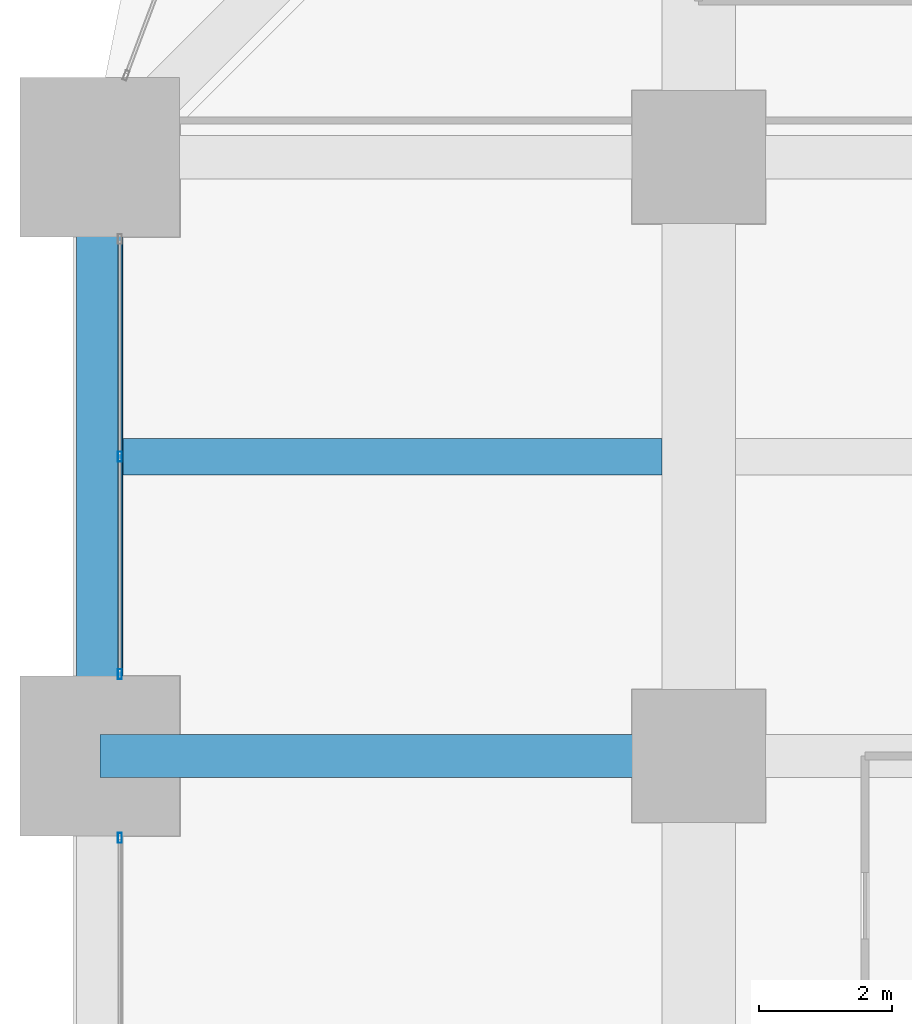
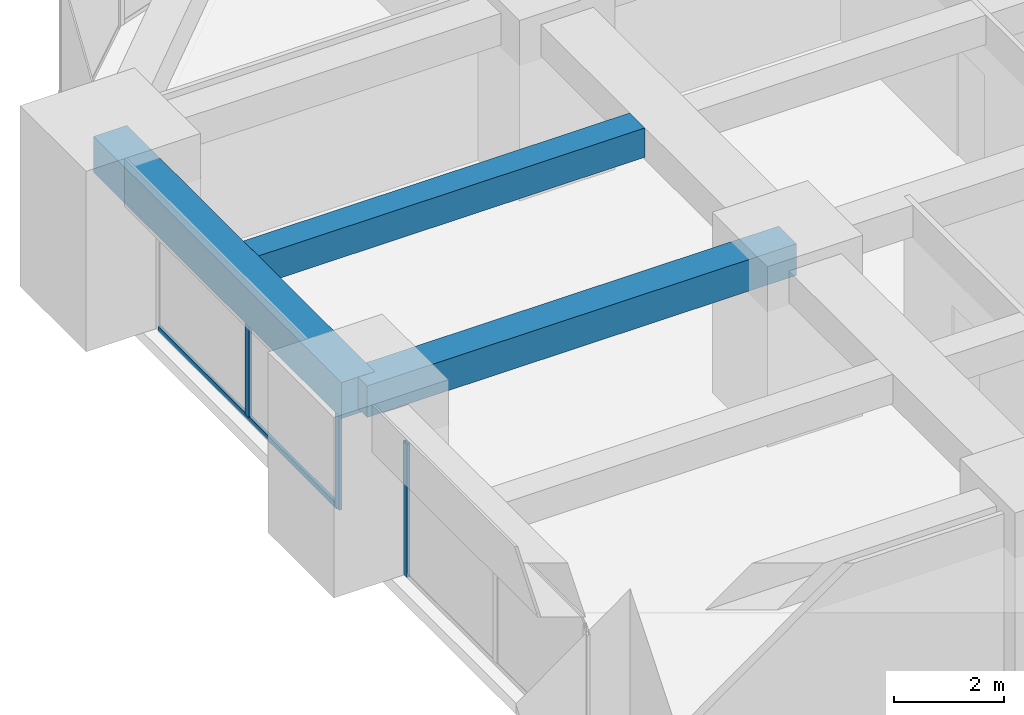
# One storey, part 11 of 41: 4 members, 3 beams, 2 elements without a shape of their own.
"""IFC4 building model written with IfcOpenShell, lengths in metres."""

from ifc_helpers import new_model, si_unit, direction, frame, origin, origin_2d, place, context, subcontext, project, spatial, rectangle, hollow_rectangle, extrude, material, material_profile, profile_set, type_object, element, aggregate, save


model = new_model("IFC4")

# Units and contexts
model_context = context("Model", 3, precision=1e-05, world=origin(), true_north=direction((0.0, 1.0)))
body_context = subcontext(model_context, "Body", "Model", "MODEL_VIEW")
ifc_project = project(units=[si_unit("LENGTHUNIT", "METRE"), si_unit("AREAUNIT", "SQUARE_METRE"), si_unit("VOLUMEUNIT", "CUBIC_METRE"), si_unit("PLANEANGLEUNIT", "RADIAN"), si_unit("MASSUNIT", "GRAM", prefix="KILO")], contexts=[model_context])

# Site, building, storey
site_placement = place(None, origin())
site = spatial("IfcSite", under=ifc_project, at=site_placement, CompositionType="ELEMENT")
building_placement = place(site_placement, origin())
building = spatial("IfcBuilding", under=site, at=building_placement, Name="Zorevar Civic Tower", CompositionType="ELEMENT")
storey_placement = place(building_placement, frame((0.0, 0.0, 101.0)))
storey = spatial("IfcBuildingStorey", under=building, at=storey_placement, Name="L24", CompositionType="ELEMENT", Elevation=101.0)

# Beams
ifc_material_1 = material(Name="Concrete C50/60", Category="concrete")
ifc_material_profile_1 = material_profile(ifc_material_1, rectangle(XDim=0.550048828125, YDim=0.64990234375, at=origin_2d()), Name="RC 550x650")
ifc_profile_set_1 = profile_set([ifc_material_profile_1], Name="Concrete C50/60")
beam_type_1 = type_object("IfcBeamType", Name="Beam RC 550x650", PredefinedType="BEAM", material=ifc_profile_set_1)
beam_1_placement = place(storey_placement, frame((0.35009765625, 31.5, 3.425048828125), z_axis=(1.0, 0.0, 0.0), x_axis=(0.0, 1.0, 0.0)))
element("IfcBeam", 1, at=beam_1_placement, inside=storey, type_object=beam_type_1, Name="Secondary beam L25", PredefinedType="BEAM", context=body_context, shape_type="SweptSolid", body=[
    extrude(rectangle(XDim=0.550048828125, YDim=0.64990234375, at=origin_2d()), origin(), (0.0, 0.0, 1.0), 8.099853515625),
])
ifc_material_2 = material(Name="Concrete C50/60", Category="concrete")
ifc_material_profile_2 = material_profile(ifc_material_2, rectangle(XDim=0.64990234375, YDim=0.699951171875, at=origin_2d()), Name="RC 650x700")
ifc_profile_set_2 = profile_set([ifc_material_profile_2], Name="Concrete C50/60")
beam_type_2 = type_object("IfcBeamType", Name="Beam RC 650x700", PredefinedType="BEAM", material=ifc_profile_set_2)
beam_2_placement = place(storey_placement, frame((0.0, 27.0, 3.39990234375), z_axis=(1.0, 0.0, 0.0), x_axis=(0.0, 1.0, 0.0)))
element("IfcBeam", 2, at=beam_2_placement, inside=storey, type_object=beam_type_2, Name="Girder L25", PredefinedType="BEAM", context=body_context, shape_type="SweptSolid", body=[
    extrude(rectangle(XDim=0.64990234375, YDim=0.699951171875, at=origin_2d()), origin(), (0.0, 0.0, 1.0), 9.0),
])

# Curtain wall, member
ifc_material_3 = material(Name="Dark grey solar-control glass in black aluminium frame", Category="aluminium")
curtain_wall_type = type_object("IfcCurtainWallType", Name="Curtain wall CW3 mid zone", PredefinedType="NOTDEFINED", material=ifc_material_3)
curtain_wall_1_placement = place(storey_placement, origin())
curtain_wall_1 = element("IfcCurtainWall", 3, at=curtain_wall_1_placement, inside=storey, type_object=curtain_wall_type, Name="CW3 L24", PredefinedType="NOTDEFINED")
ifc_material_4 = material(Name="Aluminium, black anodised", Category="aluminium")
ifc_material_profile_3 = material_profile(ifc_material_4, hollow_rectangle(XDim=0.06005859375, YDim=0.14990234375, WallThickness=0.00390625, at=origin_2d()), Name="AL 150x60x4")
ifc_profile_set_3 = profile_set([ifc_material_profile_3], Name="Aluminium, black anodised")
member_type_1 = type_object("IfcMemberType", Name="CW3 mullion AL 150x60x4", PredefinedType="MULLION", material=ifc_profile_set_3)
member_1_placement = place(storey_placement, frame((0.300048828125, 25.77001953125, 0.0), z_axis=(0.0, 0.0, 1.0), x_axis=(-1.0, 0.0, 0.0)))
member_1 = element("IfcMember", 4, at=member_1_placement, type_object=member_type_1, Name="CW3 mullion 3", PredefinedType="MULLION", context=body_context, shape_type="SweptSolid", body=[
    extrude(hollow_rectangle(XDim=0.06005859375, YDim=0.14990234375, WallThickness=0.00390625, at=origin_2d()), origin(), (0.0, 0.0, 1.0), 2.949951171875),
])
aggregate(curtain_wall_1, [member_1])

# Curtain wall, members
curtain_wall_2_placement = place(storey_placement, origin())
curtain_wall_2 = element("IfcCurtainWall", 5, at=curtain_wall_2_placement, inside=storey, type_object=curtain_wall_type, Name="CW3 L24", PredefinedType="NOTDEFINED")
member_2_placement = place(storey_placement, frame((0.300048828125, 28.22998046875, 0.0), z_axis=(0.0, 0.0, 1.0), x_axis=(-1.0, 0.0, 0.0)))
member_2 = element("IfcMember", 6, at=member_2_placement, type_object=member_type_1, Name="CW3 mullion 1", PredefinedType="MULLION", context=body_context, shape_type="SweptSolid", body=[
    extrude(hollow_rectangle(XDim=0.06005859375, YDim=0.14990234375, WallThickness=0.00390625, at=origin_2d()), origin(), (0.0, 0.0, 1.0), 2.949951171875),
])
member_3_placement = place(storey_placement, frame((0.300048828125, 31.5, 0.06005859375), z_axis=(0.0, 0.0, 1.0), x_axis=(-1.0, 0.0, 0.0)))
member_3 = element("IfcMember", 7, at=member_3_placement, type_object=member_type_1, Name="CW3 mullion 2", PredefinedType="MULLION", context=body_context, shape_type="SweptSolid", body=[
    extrude(hollow_rectangle(XDim=0.06005859375, YDim=0.14990234375, WallThickness=0.00390625, at=origin_2d()), origin(), (0.0, 0.0, 1.0), 2.889892578125),
])
ifc_material_5 = material(Name="Aluminium, black anodised", Category="aluminium")
ifc_material_profile_4 = material_profile(ifc_material_5, hollow_rectangle(XDim=0.06005859375, YDim=0.1201171875, WallThickness=0.0029296875, at=origin_2d()), Name="AL 120x60x3")
ifc_profile_set_4 = profile_set([ifc_material_profile_4], Name="Aluminium, black anodised")
member_type_2 = type_object("IfcMemberType", Name="CW3 transom AL 120x60x3", PredefinedType="USERDEFINED", material=ifc_profile_set_4)
member_4_placement = place(storey_placement, frame((0.300048828125, 28.260009765625, 0.030029296875), z_axis=(0.0, 1.0, 0.0), x_axis=(-1.0, 0.0, 0.0)))
member_4 = element("IfcMember", 8, at=member_4_placement, type_object=member_type_2, Name="CW3 sill transom", ObjectType="TRANSOM", PredefinedType="USERDEFINED", context=body_context, shape_type="SweptSolid", body=[
    extrude(hollow_rectangle(XDim=0.06005859375, YDim=0.1201171875, WallThickness=0.0029296875, at=origin_2d()), origin(), (0.0, 0.0, 1.0), 6.47998046875),
])
aggregate(curtain_wall_2, [member_2, member_3, member_4])

# Beam
ifc_material_6 = material(Name="Concrete C50/60", Category="concrete")
ifc_material_profile_5 = material_profile(ifc_material_6, rectangle(XDim=0.699951171875, YDim=0.800048828125, at=origin_2d()), Name="RC 700x800")
ifc_profile_set_5 = profile_set([ifc_material_profile_5], Name="Concrete C50/60")
beam_type_3 = type_object("IfcBeamType", Name="Edge beam RC 700x800", PredefinedType="SPANDREL", material=ifc_profile_set_5)
beam_3_placement = place(storey_placement, frame((0.0, 27.0, 3.35009765625), z_axis=(0.0, 1.0, 0.0), x_axis=(-1.0, 0.0, 0.0)))
element("IfcBeam", 9, at=beam_3_placement, inside=storey, type_object=beam_type_3, Name="Edge beam L25", PredefinedType="SPANDREL", context=body_context, shape_type="SweptSolid", body=[
    extrude(rectangle(XDim=0.699951171875, YDim=0.800048828125, at=origin_2d()), origin(), (0.0, 0.0, 1.0), 9.0),
])

save(model, "model.ifc")
